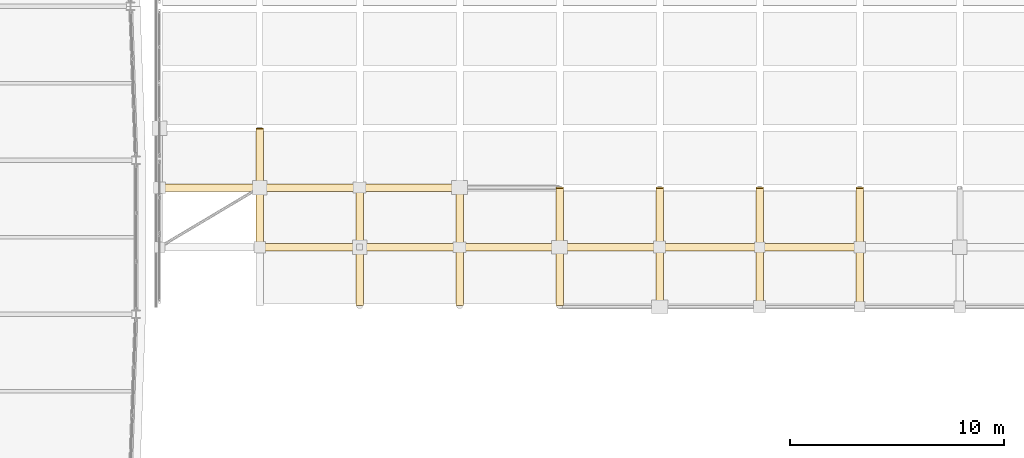
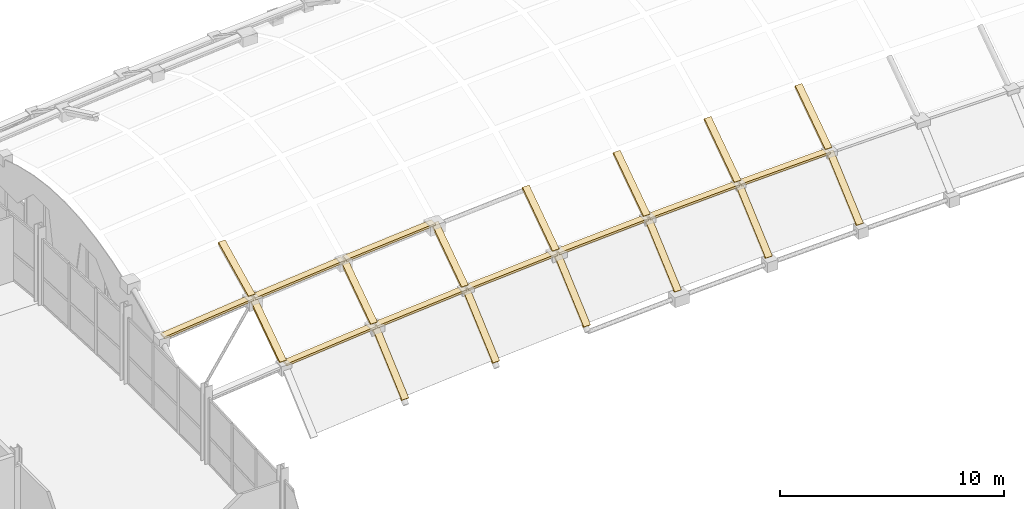
# One storey, part 62 of 65: 23 coverings.
"""IFC4 building model written with IfcOpenShell, lengths in metres."""

from ifc_helpers import new_model, si_unit, direction, frame, origin, place, context, subcontext, project, spatial, polyline, outline, extrude, material, layer, layer_set, type_object, element, save


model = new_model("IFC4")

# Units and contexts
model_context = context("Model", 3, precision=1e-05, world=origin(), true_north=direction((0.0, 1.0)))
body_context = subcontext(model_context, "Body", "Model", "MODEL_VIEW")
ifc_project = project(units=[si_unit("LENGTHUNIT", "METRE"), si_unit("AREAUNIT", "SQUARE_METRE"), si_unit("VOLUMEUNIT", "CUBIC_METRE"), si_unit("PLANEANGLEUNIT", "RADIAN"), si_unit("MASSUNIT", "GRAM", prefix="KILO")], contexts=[model_context])

# Site, building, storey
site_placement = place(None, origin())
site = spatial("IfcSite", under=ifc_project, at=site_placement, CompositionType="ELEMENT")
building_placement = place(site_placement, origin())
building = spatial("IfcBuilding", under=site, at=building_placement, Name="Quillay Park Conservatory", CompositionType="ELEMENT")
storey_placement = place(building_placement, frame((0.0, 0.0, 14.10009765625)))
storey = spatial("IfcBuildingStorey", under=building, at=storey_placement, Name="L03", CompositionType="ELEMENT", Elevation=14.10009765625)

# Coverings
ifc_material = material(Name="Thermally Broken Anodised Aluminium 6063-T6", Category="aluminium")
ifc_layer = layer(ifc_material, 0.090087890625)
ifc_layer_set = layer_set([ifc_layer], Name="GRIDSHELL GLAZING CAP BAR 90 (Thermally Broken Anodised Aluminium 6063-T6)")
covering_type = type_object("IfcCoveringType", Name="GRIDSHELL GLAZING CAP BAR 90", PredefinedType="CLADDING", material=ifc_layer_set)
covering_1_placement = place(storey_placement, frame((35.15283203125, 88.385009765625, 1.496337890625), z_axis=(0.0, -0.565248454468, 0.824920714203), x_axis=(1.0, 0.0, 0.0)))
element("IfcCovering", 1, at=covering_1_placement, inside=storey, type_object=covering_type, Name="Gridshell Transverse Glazing Cap Bar 01-01", PredefinedType="CLADDING", context=body_context, shape_type="SweptSolid", body=[
    extrude(outline(polyline([(0.0, 0.0), (0.349853515625, 0.0), (0.349853515625, 3.2549292889838313), (0.0, 3.2549292889838313), (0.0, 0.0)])), origin(), (0.0, 0.0, -1.0), 0.1201171875),
])
covering_2_placement = place(storey_placement, frame((35.15283203125, 91.169921875, 3.398681640625), z_axis=(0.0, -0.441263645499, 0.897377509837), x_axis=(1.0, 0.0, 0.0)))
element("IfcCovering", 2, at=covering_2_placement, inside=storey, type_object=covering_type, Name="Gridshell Transverse Glazing Cap Bar 01-02", PredefinedType="CLADDING", context=body_context, shape_type="SweptSolid", body=[
    extrude(outline(polyline([(0.0, 0.0), (0.349853515625, 0.0), (0.349853515625, 2.9921171015732284), (0.0, 2.9921171015732284), (0.0, 0.0)])), origin(), (0.0, 0.0, -1.0), 0.1201171875),
])
covering_3_placement = place(storey_placement, frame((39.83056640625, 85.60009765625, -0.503662109375), z_axis=(0.0, -0.660113439794, 0.751165924815), x_axis=(1.0, 0.0, 0.0)))
element("IfcCovering", 3, at=covering_3_placement, inside=storey, type_object=covering_type, Name="Gridshell Transverse Glazing Cap Bar 02-00", PredefinedType="CLADDING", context=body_context, shape_type="SweptSolid", body=[
    extrude(outline(polyline([(0.0, 0.0), (0.35009765625, 0.0), (0.35009765625, 3.574196278652572), (0.0, 3.574196278652572), (0.0, 0.0)])), origin(), (0.0, 0.0, -1.0), 0.1201171875),
])
covering_4_placement = place(storey_placement, frame((39.83056640625, 88.385009765625, 1.933837890625), z_axis=(0.0, -0.565248454468, 0.824920714203), x_axis=(1.0, 0.0, 0.0)))
element("IfcCovering", 4, at=covering_4_placement, inside=storey, type_object=covering_type, Name="Gridshell Transverse Glazing Cap Bar 02-01", PredefinedType="CLADDING", context=body_context, shape_type="SweptSolid", body=[
    extrude(outline(polyline([(0.0, 0.0), (0.35009765625, 0.0), (0.35009765625, 3.2549292889838313), (0.0, 3.2549292889838313), (0.0, 0.0)])), origin(), (0.0, 0.0, -1.0), 0.1201171875),
])
covering_5_placement = place(storey_placement, frame((44.50830078125, 85.60009765625, -0.124755859375), z_axis=(0.0, -0.660113439794, 0.751165924815), x_axis=(1.0, 0.0, 0.0)))
element("IfcCovering", 5, at=covering_5_placement, inside=storey, type_object=covering_type, Name="Gridshell Transverse Glazing Cap Bar 03-00", PredefinedType="CLADDING", context=body_context, shape_type="SweptSolid", body=[
    extrude(outline(polyline([(0.0, 0.0), (0.35009765625, 0.0), (0.35009765625, 3.574196278652572), (0.0, 3.574196278652572), (0.0, 0.0)])), origin(), (0.0, 0.0, -1.0), 0.1201171875),
])
covering_6_placement = place(storey_placement, frame((44.50830078125, 88.385009765625, 2.312744140625), z_axis=(0.0, -0.565248454468, 0.824920714203), x_axis=(1.0, 0.0, 0.0)))
element("IfcCovering", 6, at=covering_6_placement, inside=storey, type_object=covering_type, Name="Gridshell Transverse Glazing Cap Bar 03-01", PredefinedType="CLADDING", context=body_context, shape_type="SweptSolid", body=[
    extrude(outline(polyline([(0.0, 0.0), (0.35009765625, 0.0), (0.35009765625, 3.2549292889838313), (0.0, 3.2549292889838313), (0.0, 0.0)])), origin(), (0.0, 0.0, -1.0), 0.1201171875),
])
covering_7_placement = place(storey_placement, frame((49.18603515625, 85.60009765625, 0.195556640625), z_axis=(0.0, -0.660113439794, 0.751165924815), x_axis=(1.0, 0.0, 0.0)))
element("IfcCovering", 7, at=covering_7_placement, inside=storey, type_object=covering_type, Name="Gridshell Transverse Glazing Cap Bar 04-00", PredefinedType="CLADDING", context=body_context, shape_type="SweptSolid", body=[
    extrude(outline(polyline([(0.0, 0.0), (0.35009765625, 0.0), (0.35009765625, 3.574196278652572), (0.0, 3.574196278652572), (0.0, 0.0)])), origin(), (0.0, 0.0, -1.0), 0.1201171875),
])
covering_8_placement = place(storey_placement, frame((49.18603515625, 88.385009765625, 2.633056640625), z_axis=(0.0, -0.565248454468, 0.824920714203), x_axis=(1.0, 0.0, 0.0)))
element("IfcCovering", 8, at=covering_8_placement, inside=storey, type_object=covering_type, Name="Gridshell Transverse Glazing Cap Bar 04-01", PredefinedType="CLADDING", context=body_context, shape_type="SweptSolid", body=[
    extrude(outline(polyline([(0.0, 0.0), (0.35009765625, 0.0), (0.35009765625, 3.2549292889838313), (0.0, 3.2549292889838313), (0.0, 0.0)])), origin(), (0.0, 0.0, -1.0), 0.1201171875),
])
covering_9_placement = place(storey_placement, frame((53.864013671875, 85.60009765625, 0.457275390625), z_axis=(0.0, -0.660113439794, 0.751165924815), x_axis=(1.0, 0.0, 0.0)))
element("IfcCovering", 9, at=covering_9_placement, inside=storey, type_object=covering_type, Name="Gridshell Transverse Glazing Cap Bar 05-00", PredefinedType="CLADDING", context=body_context, shape_type="SweptSolid", body=[
    extrude(outline(polyline([(0.0, 0.0), (0.349853515625, 0.0), (0.349853515625, 3.574196278652572), (0.0, 3.574196278652572), (0.0, 0.0)])), origin(), (0.0, 0.0, -1.0), 0.1201171875),
])
covering_10_placement = place(storey_placement, frame((53.864013671875, 88.385009765625, 2.894775390625), z_axis=(0.0, -0.565248454468, 0.824920714203), x_axis=(1.0, 0.0, 0.0)))
element("IfcCovering", 10, at=covering_10_placement, inside=storey, type_object=covering_type, Name="Gridshell Transverse Glazing Cap Bar 05-01", PredefinedType="CLADDING", context=body_context, shape_type="SweptSolid", body=[
    extrude(outline(polyline([(0.0, 0.0), (0.349853515625, 0.0), (0.349853515625, 3.2549292889838313), (0.0, 3.2549292889838313), (0.0, 0.0)])), origin(), (0.0, 0.0, -1.0), 0.1201171875),
])
covering_11_placement = place(storey_placement, frame((58.541748046875, 85.60009765625, 0.660400390625), z_axis=(0.0, -0.660113439794, 0.751165924815), x_axis=(1.0, 0.0, 0.0)))
element("IfcCovering", 11, at=covering_11_placement, inside=storey, type_object=covering_type, Name="Gridshell Transverse Glazing Cap Bar 06-00", PredefinedType="CLADDING", context=body_context, shape_type="SweptSolid", body=[
    extrude(outline(polyline([(0.0, 0.0), (0.349853515625, 0.0), (0.349853515625, 3.574196278652572), (0.0, 3.574196278652572), (0.0, 0.0)])), origin(), (0.0, 0.0, -1.0), 0.1201171875),
])
covering_12_placement = place(storey_placement, frame((58.541748046875, 88.385009765625, 3.097900390625), z_axis=(0.0, -0.565248454468, 0.824920714203), x_axis=(1.0, 0.0, 0.0)))
element("IfcCovering", 12, at=covering_12_placement, inside=storey, type_object=covering_type, Name="Gridshell Transverse Glazing Cap Bar 06-01", PredefinedType="CLADDING", context=body_context, shape_type="SweptSolid", body=[
    extrude(outline(polyline([(0.0, 0.0), (0.349853515625, 0.0), (0.349853515625, 3.2549292889838313), (0.0, 3.2549292889838313), (0.0, 0.0)])), origin(), (0.0, 0.0, -1.0), 0.1201171875),
])
covering_13_placement = place(storey_placement, frame((63.219482421875, 85.60009765625, 0.808837890625), z_axis=(0.0, -0.660113439794, 0.751165924815), x_axis=(1.0, 0.0, 0.0)))
element("IfcCovering", 13, at=covering_13_placement, inside=storey, type_object=covering_type, Name="Gridshell Transverse Glazing Cap Bar 07-00", PredefinedType="CLADDING", context=body_context, shape_type="SweptSolid", body=[
    extrude(outline(polyline([(0.0, 0.0), (0.349853515625, 0.0), (0.349853515625, 3.574196278652572), (0.0, 3.574196278652572), (0.0, 0.0)])), origin(), (0.0, 0.0, -1.0), 0.1201171875),
])
covering_14_placement = place(storey_placement, frame((63.219482421875, 88.385009765625, 3.246337890625), z_axis=(0.0, -0.565248454468, 0.824920714203), x_axis=(1.0, 0.0, 0.0)))
element("IfcCovering", 14, at=covering_14_placement, inside=storey, type_object=covering_type, Name="Gridshell Transverse Glazing Cap Bar 07-01", PredefinedType="CLADDING", context=body_context, shape_type="SweptSolid", body=[
    extrude(outline(polyline([(0.0, 0.0), (0.349853515625, 0.0), (0.349853515625, 3.2549292889838313), (0.0, 3.2549292889838313), (0.0, 0.0)])), origin(), (0.0, 0.0, -1.0), 0.1201171875),
])
covering_15_placement = place(storey_placement, frame((35.377685546875, 88.159912109375, 1.461181640625), z_axis=(-0.093450911608, 0.0, 0.995623888383), x_axis=(0.995623888383, 0.0, 0.093450911608)))
element("IfcCovering", 15, at=covering_15_placement, inside=storey, type_object=covering_type, Name="Gridshell Longitudinal Glazing Cap Bar 01-01", PredefinedType="CLADDING", context=body_context, shape_type="SweptSolid", body=[
    extrude(outline(polyline([(0.0, 0.0), (4.5980022303483326, 0.0), (4.5980022303483326, 0.35009765624999994), (0.0, 0.35009765624999994), (0.0, 0.0)])), origin(), (0.0, 0.0, -1.0), 0.1201171875),
])
covering_16_placement = place(storey_placement, frame((40.0556640625, 88.159912109375, 1.898681640625), z_axis=(-0.080801595311, 0.0, 0.996730205319), x_axis=(0.996730205319, 0.0, 0.080801595311)))
element("IfcCovering", 16, at=covering_16_placement, inside=storey, type_object=covering_type, Name="Gridshell Longitudinal Glazing Cap Bar 02-01", PredefinedType="CLADDING", context=body_context, shape_type="SweptSolid", body=[
    extrude(outline(polyline([(0.0, 0.0), (4.592653753565289, 0.0), (4.592653753565289, 0.35009765625), (0.0, 0.35009765625), (0.0, 0.0)])), origin(), (0.0, 0.0, -1.0), 0.1201171875),
])
covering_17_placement = place(storey_placement, frame((44.7333984375, 88.159912109375, 2.277587890625), z_axis=(-0.068108147653, 0.0, 0.99767794414), x_axis=(0.99767794414, 0.0, 0.068108147653)))
element("IfcCovering", 17, at=covering_17_placement, inside=storey, type_object=covering_type, Name="Gridshell Longitudinal Glazing Cap Bar 03-01", PredefinedType="CLADDING", context=body_context, shape_type="SweptSolid", body=[
    extrude(outline(polyline([(0.0, 0.0), (4.588290986723518, 0.0), (4.588290986723518, 0.35009765625), (0.0, 0.35009765625), (0.0, 0.0)])), origin(), (0.0, 0.0, -1.0), 0.1201171875),
])
covering_18_placement = place(storey_placement, frame((49.4111328125, 88.159912109375, 2.597900390625), z_axis=(-0.056227900695, 0.0, 0.998417960167), x_axis=(0.998417960167, 0.0, 0.056227900695)))
element("IfcCovering", 18, at=covering_18_placement, inside=storey, type_object=covering_type, Name="Gridshell Longitudinal Glazing Cap Bar 04-01", PredefinedType="CLADDING", context=body_context, shape_type="SweptSolid", body=[
    extrude(outline(polyline([(0.0, 0.0), (4.585134725151295, 0.0), (4.585134725151295, 0.35009765625), (0.0, 0.35009765625), (0.0, 0.0)])), origin(), (0.0, 0.0, -1.0), 0.1201171875),
])
covering_19_placement = place(storey_placement, frame((54.0888671875, 88.159912109375, 2.859619140625), z_axis=(-0.043476530855, 0.0, 0.999054448599), x_axis=(0.999054448599, 0.0, 0.043476530855)))
element("IfcCovering", 19, at=covering_19_placement, inside=storey, type_object=covering_type, Name="Gridshell Longitudinal Glazing Cap Bar 05-01", PredefinedType="CLADDING", context=body_context, shape_type="SweptSolid", body=[
    extrude(outline(polyline([(0.0, 0.0), (4.582213577844616, 0.0), (4.582213577844616, 0.35009765625000006), (0.0, 0.35009765625000006), (0.0, 0.0)])), origin(), (0.0, 0.0, -1.0), 0.1201171875),
])
covering_20_placement = place(storey_placement, frame((58.7666015625, 88.159912109375, 3.062744140625), z_axis=(-0.030703878741, 0.0, 0.999528524771), x_axis=(0.999528524771, 0.0, 0.030703878741)))
element("IfcCovering", 20, at=covering_20_placement, inside=storey, type_object=covering_type, Name="Gridshell Longitudinal Glazing Cap Bar 06-01", PredefinedType="CLADDING", context=body_context, shape_type="SweptSolid", body=[
    extrude(outline(polyline([(0.0, 0.0), (4.580040234894994, 0.0), (4.580040234894994, 0.35009765625), (0.0, 0.35009765625), (0.0, 0.0)])), origin(), (0.0, 0.0, -1.0), 0.1201171875),
])
covering_21_placement = place(storey_placement, frame((30.699951171875, 90.945068359375, 2.879150390625), z_axis=(-0.105220344611, 0.0, 0.994448932364), x_axis=(0.994448932364, 0.0, 0.105220344611)))
element("IfcCovering", 21, at=covering_21_placement, inside=storey, type_object=covering_type, Name="Gridshell Longitudinal Glazing Cap Bar 00-02", PredefinedType="CLADDING", context=body_context, shape_type="SweptSolid", body=[
    extrude(outline(polyline([(0.0, 0.0), (4.603434837516112, 0.0), (4.603434837516112, 0.349853515625), (0.0, 0.349853515625), (0.0, 0.0)])), origin(), (0.0, 0.0, -1.0), 0.1201171875),
])
covering_22_placement = place(storey_placement, frame((35.377685546875, 90.945068359375, 3.371337890625), z_axis=(-0.093450911608, 0.0, 0.995623888383), x_axis=(0.995623888383, 0.0, 0.093450911608)))
element("IfcCovering", 22, at=covering_22_placement, inside=storey, type_object=covering_type, Name="Gridshell Longitudinal Glazing Cap Bar 01-02", PredefinedType="CLADDING", context=body_context, shape_type="SweptSolid", body=[
    extrude(outline(polyline([(0.0, 0.0), (4.5980022303483326, 0.0), (4.5980022303483326, 0.34985351562499994), (0.0, 0.34985351562499994), (0.0, 0.0)])), origin(), (0.0, 0.0, -1.0), 0.1201171875),
])
covering_23_placement = place(storey_placement, frame((40.0556640625, 90.945068359375, 3.808837890625), z_axis=(-0.080801595311, 0.0, 0.996730205319), x_axis=(0.996730205319, 0.0, 0.080801595311)))
element("IfcCovering", 23, at=covering_23_placement, inside=storey, type_object=covering_type, Name="Gridshell Longitudinal Glazing Cap Bar 02-02", PredefinedType="CLADDING", context=body_context, shape_type="SweptSolid", body=[
    extrude(outline(polyline([(0.0, 0.0), (4.592653753565289, 0.0), (4.592653753565289, 0.349853515625), (0.0, 0.349853515625), (0.0, 0.0)])), origin(), (0.0, 0.0, -1.0), 0.1201171875),
])

save(model, "model.ifc")
